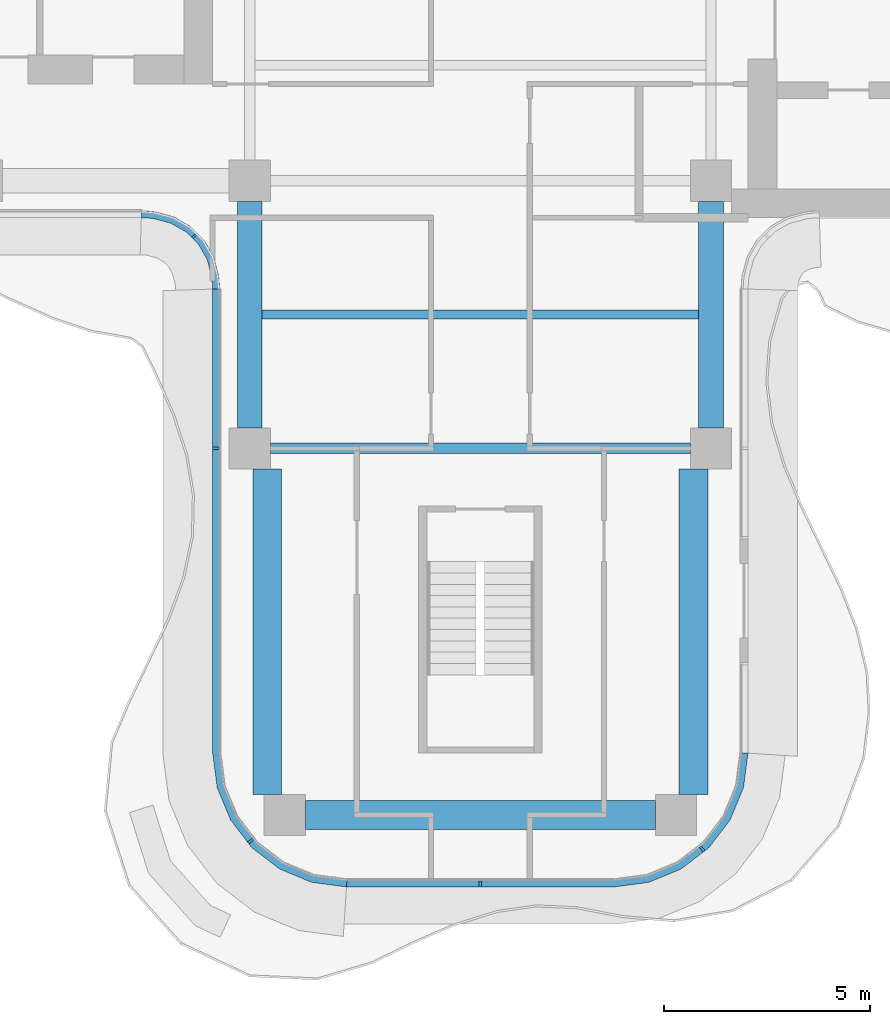
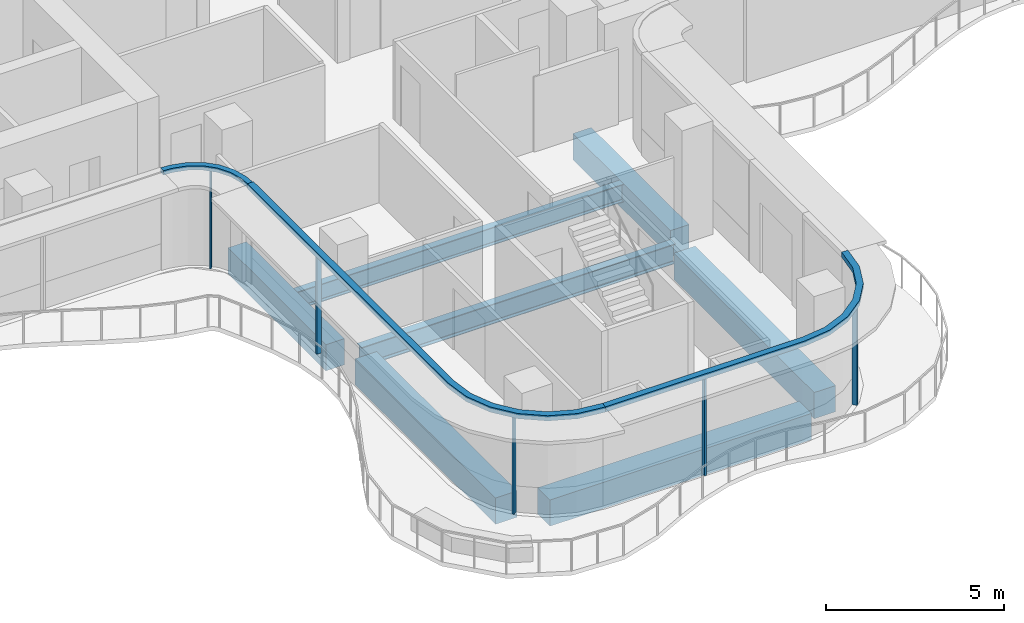
# One storey, part 2 of 15: 8 members, 7 beams, 3 elements without a shape of their own.
"""IFC4 building model written with IfcOpenShell, lengths in metres."""

from ifc_helpers import new_model, si_unit, direction, frame, origin, origin_2d, place, context, subcontext, project, spatial, polyline, rectangle, i_section, outline, extrude, source, transform, mapped, material, layer, layer_set, material_profile, profile_set, type_object, element, aggregate, save


model = new_model("IFC4")

# Units and contexts
model_context = context("Model", 3, precision=1e-05, world=origin(), true_north=direction((0.0, 1.0)))
body_context = subcontext(model_context, "Body", "Model", "MODEL_VIEW")
ifc_project = project(units=[si_unit("LENGTHUNIT", "METRE"), si_unit("AREAUNIT", "SQUARE_METRE"), si_unit("VOLUMEUNIT", "CUBIC_METRE"), si_unit("PLANEANGLEUNIT", "RADIAN"), si_unit("MASSUNIT", "GRAM", prefix="KILO")], contexts=[model_context])

# Site, building, storey
site_placement = place(None, origin())
site = spatial("IfcSite", under=ifc_project, at=site_placement, CompositionType="ELEMENT")
building_placement = place(site_placement, origin())
building = spatial("IfcBuilding", under=site, at=building_placement, Name="Trellis Farm Tower", CompositionType="ELEMENT")
storey_placement = place(building_placement, frame((0.0, 0.0, 326.199951171875)))
storey = spatial("IfcBuildingStorey", under=building, at=storey_placement, Name="L74", CompositionType="ELEMENT", Elevation=326.199951171875)

# Beams
ifc_material_1 = material(Name="Steel S355", Category="steel")
ifc_material_profile_1 = material_profile(ifc_material_1, i_section(OverallWidth=0.22900390625, OverallDepth=0.6123046875, WebThickness=0.011962890625, FlangeThickness=0.01953125, FilletRadius=0.0126953125, at=origin_2d()), Name="UB 610x229x125")
ifc_profile_set_1 = profile_set([ifc_material_profile_1], Name="Steel S355")
beam_type_1 = type_object("IfcBeamType", Name="UB 610x229x125 joist", PredefinedType="JOIST", material=ifc_profile_set_1)
shared_shape_1 = source(origin(), body_context, "Body", "SweptSolid", [
    extrude(i_section(OverallWidth=0.22900390625, OverallDepth=0.6123046875, WebThickness=0.011962890625, FlangeThickness=0.01953125, FilletRadius=0.0126953125, at=origin_2d()), origin(), (0.0, 0.0, 1.0), 10.60009765625),
])
beam_1_placement = place(storey_placement, frame((-5.300048828125, -8.85009765625, -0.506103515625), z_axis=(1.0, 0.0, 0.0), x_axis=(0.0, 1.0, 0.0)))
element("IfcBeam", 1, at=beam_1_placement, inside=storey, type_object=beam_type_1, Name="Floor beam", PredefinedType="JOIST", context=body_context, shape_type="MappedRepresentation", body=[
    mapped(shared_shape_1, transform((0.0, 0.0, 0.0))),
])
ifc_material_profile_2 = material_profile(ifc_material_1, i_section(OverallWidth=0.253662109375, OverallDepth=0.68359375, WebThickness=0.012451171875, FlangeThickness=0.021728515625, FilletRadius=0.01513671875, at=origin_2d()), Name="UB 686x254x140")
ifc_profile_set_2 = profile_set([ifc_material_profile_2], Name="Steel S355")
beam_type_2 = type_object("IfcBeamType", Name="UB 686x254x140", PredefinedType="BEAM", material=ifc_profile_set_2)
shared_shape_2 = source(origin(), body_context, "Body", "SweptSolid", [
    extrude(i_section(OverallWidth=0.253662109375, OverallDepth=0.68359375, WebThickness=0.012451171875, FlangeThickness=0.021728515625, FilletRadius=0.01513671875, at=origin_2d()), origin(), (0.0, 0.0, 1.0), 10.2001953125),
])
beam_2_placement = place(storey_placement, frame((-5.10009765625, -12.10009765625, -0.541748046875), z_axis=(1.0, 0.0, 0.0), x_axis=(0.0, 1.0, 0.0)))
element("IfcBeam", 2, at=beam_2_placement, inside=storey, type_object=beam_type_2, Name="Girder", PredefinedType="BEAM", context=body_context, shape_type="MappedRepresentation", body=[
    mapped(shared_shape_2, transform((0.0, 0.0, 0.0))),
])
ifc_material_2 = material(Name="Concrete C60/75", Category="concrete")
ifc_material_profile_3 = material_profile(ifc_material_2, rectangle(XDim=0.60009765625, YDim=0.89990234375, at=origin_2d()), Name="RC spandrel beam 600x900 C60/75")
ifc_profile_set_3 = profile_set([ifc_material_profile_3], Name="Concrete C60/75")
beam_type_3 = type_object("IfcBeamType", Name="RC spandrel beam 600x900 C60/75", PredefinedType="SPANDREL", material=ifc_profile_set_3)
shared_shape_3 = source(origin(), body_context, "Body", "SweptSolid", [
    extrude(rectangle(XDim=0.60009765625, YDim=0.89990234375, at=origin_2d()), origin(), (0.0, 0.0, 1.0), 5.5),
])
for number, where, z_axis, x_axis, name in (
    (3, (-5.60009765625, -11.60009765625, -0.64990234375), (0.0, 1.0, 0.0), (-1.0, 0.0, 0.0), "Girder"),
    (4, (5.60009765625, -11.60009765625, -0.64990234375), (0.0, 1.0, 0.0), (-1.0, 0.0, 0.0), "Girder"),
):
    element("IfcBeam", number, at=place(storey_placement, frame(where, z_axis=z_axis, x_axis=x_axis)), inside=storey, type_object=beam_type_3, Name=name, PredefinedType="SPANDREL", context=body_context, shape_type="MappedRepresentation", body=[
        mapped(shared_shape_3, transform((0.0, 0.0, 0.0))),
    ])
ifc_material_profile_4 = material_profile(ifc_material_2, rectangle(XDim=0.699951171875, YDim=0.89990234375, at=origin_2d()), Name="RC spandrel beam 700x900 C60/75")
ifc_profile_set_4 = profile_set([ifc_material_profile_4], Name="Concrete C60/75")
beam_type_4 = type_object("IfcBeamType", Name="RC spandrel beam 700x900 C60/75", PredefinedType="SPANDREL", material=ifc_profile_set_4)
shared_shape_4 = source(origin(), body_context, "Body", "SweptSolid", [
    extrude(rectangle(XDim=0.699951171875, YDim=0.89990234375, at=origin_2d()), origin(), (0.0, 0.0, 1.0), 8.5),
])
beam_3_placement = place(storey_placement, frame((-4.25, -21.0, -0.64990234375), z_axis=(1.0, 0.0, 0.0), x_axis=(0.0, 1.0, 0.0)))
element("IfcBeam", 5, at=beam_3_placement, inside=storey, type_object=beam_type_4, Name="Girder", PredefinedType="SPANDREL", context=body_context, shape_type="MappedRepresentation", body=[
    mapped(shared_shape_4, transform((0.0, 0.0, 0.0))),
])
shared_shape_5 = source(origin(), body_context, "Body", "SweptSolid", [
    extrude(rectangle(XDim=0.699951171875, YDim=0.89990234375, at=origin_2d()), origin(), (0.0, 0.0, 1.0), 7.89990234375),
])
for number, where, z_axis, x_axis, name in (
    (6, (-5.175048828125, -20.5, -0.64990234375), (0.0, 1.0, 0.0), (-1.0, 0.0, 0.0), "Girder"),
    (7, (5.175048828125, -20.5, -0.64990234375), (0.0, 1.0, 0.0), (-1.0, 0.0, 0.0), "Girder"),
):
    element("IfcBeam", number, at=place(storey_placement, frame(where, z_axis=z_axis, x_axis=x_axis)), inside=storey, type_object=beam_type_4, Name=name, PredefinedType="SPANDREL", context=body_context, shape_type="MappedRepresentation", body=[
        mapped(shared_shape_5, transform((0.0, 0.0, 0.0))),
    ])

# Curtain wall, member
ifc_material_3 = material(Name="Aluminium and glass curtain wall", Category="aluminium")
ifc_layer_1 = layer(ifc_material_3, 0.166015625)
ifc_layer_set_1 = layer_set([ifc_layer_1], Name="WINTER GARDEN CURTAIN WALL CW3")
curtain_wall_type_1 = type_object("IfcCurtainWallType", Name="WINTER GARDEN CURTAIN WALL CW3", PredefinedType="NOTDEFINED", material=ifc_layer_set_1)
placement_1 = place(storey_placement, origin())
curtain_wall_1 = element("IfcCurtainWall", 8, at=placement_1, inside=storey, type_object=curtain_wall_type_1, Name="CW3 001", PredefinedType="NOTDEFINED")
ifc_material_4 = material(Name="Aluminium extrusion 6063-T6", Category="aluminium")
ifc_layer_2 = layer(ifc_material_4, 0.169921875)
ifc_layer_set_2 = layer_set([ifc_layer_2], Name="Aluminium extrusion 6063-T6")
member_type_1 = type_object("IfcMemberType", Name="CW3 TRANSOM 170x150", PredefinedType="USERDEFINED", material=ifc_layer_set_2)
shared_shape_6 = source(origin(), body_context, "Body", "SweptSolid", [
    extrude(outline(polyline([(-8.2314453125, -6.5), (-8.01953125, -6.513916015625), (-7.91552734375, -6.527587890625), (-7.508544921875, -6.63671875), (-7.144287109375, -6.846923828125), (-6.846923828125, -7.144287109375), (-6.63671875, -7.508544921875), (-6.527587890625, -7.91552734375), (-6.513916015625, -8.01953125), (-6.5, -8.2314453125), (-6.330078125, -8.225830078125), (-6.3447265625, -8.0029296875), (-6.360595703125, -7.88232421875), (-6.478271484375, -7.44287109375), (-6.7109375, -7.0400390625), (-7.0400390625, -6.7109375), (-7.44287109375, -6.478271484375), (-7.88232421875, -6.360595703125), (-8.0029296875, -6.3447265625), (-8.225830078125, -6.330078125), (-8.2314453125, -6.5)])), origin(), (0.0, 0.0, 1.0), 0.14990234375),
])
member_1_placement = place(storey_placement, frame((0.0, 0.0, 3.35009765625)))
member_1 = element("IfcMember", 9, at=member_1_placement, type_object=member_type_1, Name="TR3 001", ObjectType="TRANSOM", PredefinedType="USERDEFINED", context=body_context, shape_type="MappedRepresentation", body=[
    mapped(shared_shape_6, transform((0.0, 0.0, 0.0))),
])

ifc_layer_3 = layer(ifc_material_3, 0.18994140625)
ifc_layer_set_3 = layer_set([ifc_layer_3], Name="RIBBON CURTAIN WALL CW1")
curtain_wall_type_2 = type_object("IfcCurtainWallType", Name="RIBBON CURTAIN WALL CW1", PredefinedType="NOTDEFINED", material=ifc_layer_set_3)
curtain_wall_2 = element("IfcCurtainWall", 10, at=placement_1, inside=storey, type_object=curtain_wall_type_2, Name="CW1 002", PredefinedType="NOTDEFINED")
ifc_layer_4 = layer(ifc_material_4, 0.199951171875)
ifc_layer_set_4 = layer_set([ifc_layer_4], Name="Aluminium extrusion 6063-T6")
member_type_2 = type_object("IfcMemberType", Name="CW1 TRANSOM 200x180", PredefinedType="USERDEFINED", material=ifc_layer_set_4)
shared_shape_7 = source(origin(), body_context, "Body", "SweptSolid", [
    extrude(outline(polyline([(-6.5, -8.2314453125), (-6.5, -19.5), (-6.38916015625, -20.341064453125), (-6.064697265625, -21.125), (-5.548095703125, -21.798095703125), (-4.875, -22.314697265625), (-4.091064453125, -22.63916015625), (-3.25, -22.75), (-3.23681640625, -22.550048828125), (-4.0390625, -22.4443359375), (-4.774169921875, -22.139892578125), (-5.405517578125, -21.655517578125), (-5.889892578125, -21.024169921875), (-6.1943359375, -20.2890625), (-6.300048828125, -19.48681640625), (-6.300048828125, -8.224853515625), (-6.5, -8.2314453125)])), origin(), (0.0, 0.0, 1.0), 0.179931640625),
])
placement_2 = place(storey_placement, frame((0.0, 0.0, 3.320068359375)))
member_2 = element("IfcMember", 11, at=placement_2, type_object=member_type_2, Name="TR1 002", ObjectType="TRANSOM", PredefinedType="USERDEFINED", context=body_context, shape_type="MappedRepresentation", body=[
    mapped(shared_shape_7, transform((0.0, 0.0, 0.0))),
])

curtain_wall_3 = element("IfcCurtainWall", 12, at=placement_1, inside=storey, type_object=curtain_wall_type_2, Name="CW1 003", PredefinedType="NOTDEFINED")
shared_shape_8 = source(origin(), body_context, "Body", "SweptSolid", [
    extrude(outline(polyline([(-3.25, -22.75), (3.25, -22.75), (4.091064453125, -22.63916015625), (4.875, -22.314697265625), (5.548095703125, -21.798095703125), (6.064697265625, -21.125), (6.38916015625, -20.341064453125), (6.5, -19.5), (6.300048828125, -19.48681640625), (6.1943359375, -20.2890625), (5.889892578125, -21.024169921875), (5.405517578125, -21.655517578125), (4.774169921875, -22.139892578125), (4.0390625, -22.4443359375), (3.23681640625, -22.550048828125), (-3.23681640625, -22.550048828125), (-3.25, -22.75)])), origin(), (0.0, 0.0, 1.0), 0.179931640625),
])
member_3 = element("IfcMember", 13, at=placement_2, type_object=member_type_2, Name="TR1 003", ObjectType="TRANSOM", PredefinedType="USERDEFINED", context=body_context, shape_type="MappedRepresentation", body=[
    mapped(shared_shape_8, transform((0.0, 0.0, 0.0))),
])

# Member
ifc_material_profile_5 = material_profile(ifc_material_4, rectangle(XDim=0.06005859375, YDim=0.14990234375, at=origin_2d()), Name="MULLION 60x150")
ifc_profile_set_5 = profile_set([ifc_material_profile_5], Name="Aluminium extrusion 6063-T6")
member_type_3 = type_object("IfcMemberType", Name="CW1 MULLION 60x150", PredefinedType="MULLION", material=ifc_profile_set_5)
shared_shape_9 = source(origin(), body_context, "Body", "SweptSolid", [
    extrude(rectangle(XDim=0.06005859375, YDim=0.14990234375, at=origin_2d()), origin(), (0.0, 0.0, 1.0), 3.320068359375),
])
member_4_placement = place(storey_placement, frame((-6.425048828125, -12.10009765625, 0.0), z_axis=(0.0, 0.0, 1.0), x_axis=(0.0, -1.0, 0.0)))
member_4 = element("IfcMember", 14, at=member_4_placement, type_object=member_type_3, Name="MU1 002-01", PredefinedType="MULLION", context=body_context, shape_type="MappedRepresentation", body=[
    mapped(shared_shape_9, transform((0.0, 0.0, 0.0))),
])

member_5_placement = place(storey_placement, frame((-5.578369140625, -21.635498046875, 0.0), z_axis=(0.0, 0.0, 1.0), x_axis=(0.608761429009, -0.793353340291, 0.0)))
member_5 = element("IfcMember", 15, at=member_5_placement, type_object=member_type_3, Name="MU1 002-02", PredefinedType="MULLION", context=body_context, shape_type="MappedRepresentation", body=[
    mapped(shared_shape_9, transform((0.0, 0.0, 0.0))),
])

aggregate(curtain_wall_2, [member_4, member_5, member_2])

member_6_placement = place(storey_placement, frame((0.0, -22.675048828125, 0.0), z_axis=(0.0, 0.0, 1.0), x_axis=(1.0, 0.0, 0.0)))
member_6 = element("IfcMember", 16, at=member_6_placement, type_object=member_type_3, Name="MU1 003-01", PredefinedType="MULLION", context=body_context, shape_type="MappedRepresentation", body=[
    mapped(shared_shape_9, transform((0.0, 0.0, 0.0))),
])

member_7_placement = place(storey_placement, frame((5.385498046875, -21.828369140625, 0.0), z_axis=(0.0, 0.0, 1.0), x_axis=(0.793353340291, 0.608761429009, 0.0)))
member_7 = element("IfcMember", 17, at=member_7_placement, type_object=member_type_3, Name="MU1 003-02", PredefinedType="MULLION", context=body_context, shape_type="MappedRepresentation", body=[
    mapped(shared_shape_9, transform((0.0, 0.0, 0.0))),
])

aggregate(curtain_wall_3, [member_6, member_7, member_3])

ifc_material_profile_6 = material_profile(ifc_material_4, rectangle(XDim=0.050048828125, YDim=0.1201171875, at=origin_2d()), Name="MULLION 50x120")
ifc_profile_set_6 = profile_set([ifc_material_profile_6], Name="Aluminium extrusion 6063-T6")
member_type_4 = type_object("IfcMemberType", Name="CW3 MULLION 50x120", PredefinedType="MULLION", material=ifc_profile_set_6)
shared_shape_10 = source(origin(), body_context, "Body", "SweptSolid", [
    extrude(rectangle(XDim=0.050048828125, YDim=0.1201171875, at=origin_2d()), origin(), (0.0, 0.0, 1.0), 3.35009765625),
])
member_8_placement = place(storey_placement, frame((-6.953125, -6.953125, 0.0), z_axis=(0.0, 0.0, 1.0), x_axis=(0.707106781187, -0.707106781187, 0.0)))
member_8 = element("IfcMember", 18, at=member_8_placement, type_object=member_type_4, Name="MU3 001-01", PredefinedType="MULLION", context=body_context, shape_type="MappedRepresentation", body=[
    mapped(shared_shape_10, transform((0.0, 0.0, 0.0))),
])

aggregate(curtain_wall_1, [member_8, member_1])

save(model, "model.ifc")
